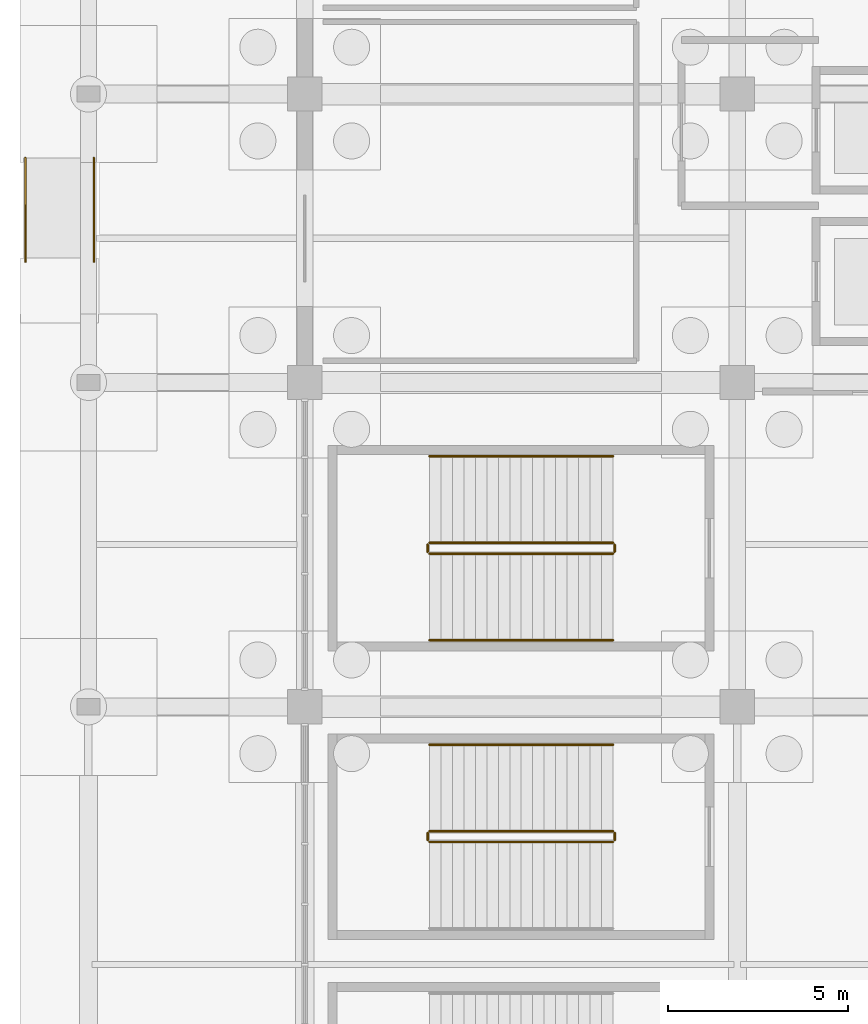
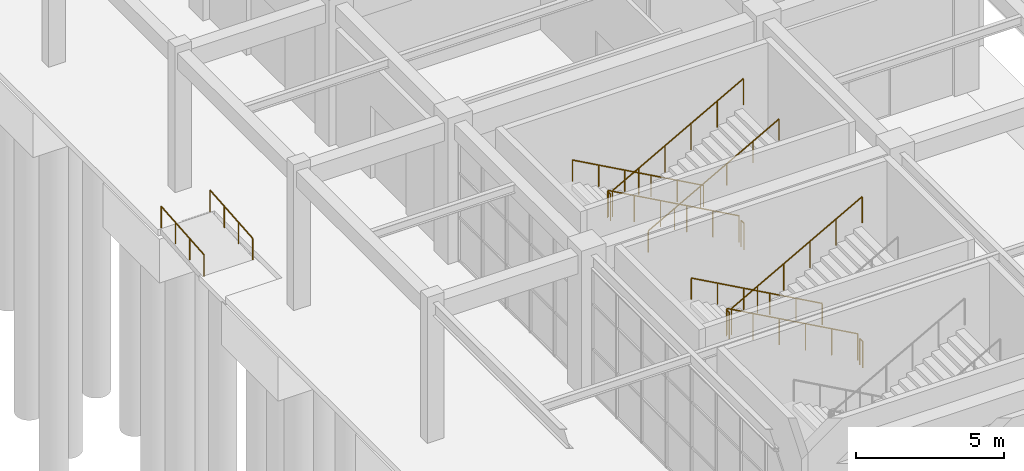
# One storey, part 102 of 121: 13 railings.
"""IFC4 building model written with IfcOpenShell, lengths in metres."""

from ifc_helpers import new_model, si_unit, direction, frame, origin, origin_2d, place, context, subcontext, project, spatial, circle, extrude, material, type_object, element, save


model = new_model("IFC4")

# Units and contexts
model_context = context("Model", 3, precision=1e-05, world=origin(), true_north=direction((0.0, 1.0)))
body_context = subcontext(model_context, "Body", "Model", "MODEL_VIEW")
ifc_project = project(units=[si_unit("LENGTHUNIT", "METRE"), si_unit("AREAUNIT", "SQUARE_METRE"), si_unit("VOLUMEUNIT", "CUBIC_METRE"), si_unit("PLANEANGLEUNIT", "RADIAN"), si_unit("MASSUNIT", "GRAM", prefix="KILO")], contexts=[model_context])

# Site, building, storey
site_placement = place(None, origin())
site = spatial("IfcSite", under=ifc_project, at=site_placement, CompositionType="ELEMENT")
building_placement = place(site_placement, origin())
building = spatial("IfcBuilding", under=site, at=building_placement, Name="Cuetzalor Civic Arena", CompositionType="ELEMENT")
storey_placement = place(building_placement, origin())
storey = spatial("IfcBuildingStorey", under=building, at=storey_placement, Name="L00", CompositionType="ELEMENT", Elevation=0.0)

# Railings
ifc_material_1 = material(Name="Reseda-green architectural Steel S355 balustrade", Category="steel")
railing_type_1 = type_object("IfcRailingType", Name="InteriorVoidBalustrade_1100", PredefinedType="BALUSTRADE", material=ifc_material_1)
railing_1_placement = place(storey_placement, frame((-67.449951171875, -37.449951171875, 0.176513671875)))
element("IfcRailing", 1, at=railing_1_placement, inside=storey, type_object=railing_type_1, Name="L00 ST-15 stair guard 1", PredefinedType="BALUSTRADE", context=body_context, shape_type="SweptSolid", body=[
    extrude(circle(Radius=0.02392578125, at=origin_2d()), frame((0.0, 0.0, 1.0810546875), z_axis=(-0.874394655587, 0.0, 0.485215401941), x_axis=(0.0, -1.0, 0.0)), (0.0, 0.0, 1.0), 5.819091796875),
    extrude(circle(Radius=0.02099609375, at=origin_2d()), origin(), (0.0, 0.0, 1.0), 1.056884765625),
    extrude(circle(Radius=0.02099609375, at=origin_2d()), frame((-1.017578125, 0.0, 0.564697265625)), (0.0, 0.0, 1.0), 1.056884765625),
    extrude(circle(Radius=0.02099609375, at=origin_2d()), frame((-2.03515625, 0.0, 1.12939453125)), (0.0, 0.0, 1.0), 1.056884765625),
    extrude(circle(Radius=0.02099609375, at=origin_2d()), frame((-3.052978515625, 0.0, 1.694091796875)), (0.0, 0.0, 1.0), 1.056884765625),
    extrude(circle(Radius=0.02099609375, at=origin_2d()), frame((-4.070556640625, 0.0, 2.2587890625)), (0.0, 0.0, 1.0), 1.056884765625),
    extrude(circle(Radius=0.02099609375, at=origin_2d()), frame((-5.088134765625, 0.0, 2.823486328125)), (0.0, 0.0, 1.0), 1.056884765625),
])
railing_2_placement = place(storey_placement, frame((-72.587890625, -37.5, 3.0)))
element("IfcRailing", 2, at=railing_2_placement, inside=storey, type_object=railing_type_1, Name="L00 ST-15 stair guard 2", PredefinedType="BALUSTRADE", context=body_context, shape_type="SweptSolid", body=[
    extrude(circle(Radius=0.02392578125, at=origin_2d()), frame((0.0, 0.0, 1.0810546875), z_axis=(0.0, -1.0, 0.0), x_axis=(1.0, 0.0, 0.0)), (0.0, 0.0, 1.0), 0.199951171875),
    extrude(circle(Radius=0.02099609375, at=origin_2d()), origin(), (0.0, 0.0, 1.0), 1.056884765625),
    extrude(circle(Radius=0.02099609375, at=origin_2d()), frame((0.0, -0.199951171875, 0.0)), (0.0, 0.0, 1.0), 1.056884765625),
])
railing_3_placement = place(storey_placement, frame((-72.5380859375, -37.75, 3.176513671875)))
element("IfcRailing", 3, at=railing_3_placement, inside=storey, type_object=railing_type_1, Name="L00 ST-15 stair guard 3", PredefinedType="BALUSTRADE", context=body_context, shape_type="SweptSolid", body=[
    extrude(circle(Radius=0.02392578125, at=origin_2d()), frame((0.0, 0.0, 1.0810546875), z_axis=(0.874394655587, 0.0, 0.485215401941), x_axis=(0.0, 1.0, 0.0)), (0.0, 0.0, 1.0), 5.819091796875),
    extrude(circle(Radius=0.02099609375, at=origin_2d()), origin(), (0.0, 0.0, 1.0), 1.056884765625),
    extrude(circle(Radius=0.02099609375, at=origin_2d()), frame((1.017578125, 0.0, 0.564697265625)), (0.0, 0.0, 1.0), 1.056884765625),
    extrude(circle(Radius=0.02099609375, at=origin_2d()), frame((2.03515625, 0.0, 1.12939453125)), (0.0, 0.0, 1.0), 1.056884765625),
    extrude(circle(Radius=0.02099609375, at=origin_2d()), frame((3.052978515625, 0.0, 1.694091796875)), (0.0, 0.0, 1.0), 1.056884765625),
    extrude(circle(Radius=0.02099609375, at=origin_2d()), frame((4.070556640625, 0.0, 2.2587890625)), (0.0, 0.0, 1.0), 1.056884765625),
    extrude(circle(Radius=0.02099609375, at=origin_2d()), frame((5.088134765625, 0.0, 2.823486328125)), (0.0, 0.0, 1.0), 1.056884765625),
])
railing_4_placement = place(storey_placement, frame((-67.39990234375, -37.5, 0.0)))
element("IfcRailing", 4, at=railing_4_placement, inside=storey, type_object=railing_type_1, Name="L00 ST-15 stair guard 4", PredefinedType="BALUSTRADE", context=body_context, shape_type="SweptSolid", body=[
    extrude(circle(Radius=0.02392578125, at=origin_2d()), frame((0.0, 0.0, 1.0810546875), z_axis=(0.0, -1.0, 0.0), x_axis=(1.0, 0.0, 0.0)), (0.0, 0.0, 1.0), 0.199951171875),
    extrude(circle(Radius=0.02099609375, at=origin_2d()), origin(), (0.0, 0.0, 1.0), 1.056884765625),
    extrude(circle(Radius=0.02099609375, at=origin_2d()), frame((0.0, -0.199951171875, 0.0)), (0.0, 0.0, 1.0), 1.056884765625),
])
railing_5_placement = place(storey_placement, frame((-67.449951171875, -29.449951171875, 0.176513671875)))
element("IfcRailing", 5, at=railing_5_placement, inside=storey, type_object=railing_type_1, Name="L00 ST-16 stair guard 1", PredefinedType="BALUSTRADE", context=body_context, shape_type="SweptSolid", body=[
    extrude(circle(Radius=0.02392578125, at=origin_2d()), frame((0.0, 0.0, 1.0810546875), z_axis=(-0.874394655587, 0.0, 0.485215401941), x_axis=(0.0, -1.0, 0.0)), (0.0, 0.0, 1.0), 5.819091796875),
    extrude(circle(Radius=0.02099609375, at=origin_2d()), origin(), (0.0, 0.0, 1.0), 1.056884765625),
    extrude(circle(Radius=0.02099609375, at=origin_2d()), frame((-1.017578125, 0.0, 0.564697265625)), (0.0, 0.0, 1.0), 1.056884765625),
    extrude(circle(Radius=0.02099609375, at=origin_2d()), frame((-2.03515625, 0.0, 1.12939453125)), (0.0, 0.0, 1.0), 1.056884765625),
    extrude(circle(Radius=0.02099609375, at=origin_2d()), frame((-3.052978515625, 0.0, 1.694091796875)), (0.0, 0.0, 1.0), 1.056884765625),
    extrude(circle(Radius=0.02099609375, at=origin_2d()), frame((-4.070556640625, 0.0, 2.2587890625)), (0.0, 0.0, 1.0), 1.056884765625),
    extrude(circle(Radius=0.02099609375, at=origin_2d()), frame((-5.088134765625, 0.0, 2.823486328125)), (0.0, 0.0, 1.0), 1.056884765625),
])
railing_6_placement = place(storey_placement, frame((-72.587890625, -29.5, 3.0)))
element("IfcRailing", 6, at=railing_6_placement, inside=storey, type_object=railing_type_1, Name="L00 ST-16 stair guard 2", PredefinedType="BALUSTRADE", context=body_context, shape_type="SweptSolid", body=[
    extrude(circle(Radius=0.02392578125, at=origin_2d()), frame((0.0, 0.0, 1.0810546875), z_axis=(0.0, -1.0, 0.0), x_axis=(1.0, 0.0, 0.0)), (0.0, 0.0, 1.0), 0.199951171875),
    extrude(circle(Radius=0.02099609375, at=origin_2d()), origin(), (0.0, 0.0, 1.0), 1.056884765625),
    extrude(circle(Radius=0.02099609375, at=origin_2d()), frame((0.0, -0.199951171875, 0.0)), (0.0, 0.0, 1.0), 1.056884765625),
])
railing_7_placement = place(storey_placement, frame((-72.5380859375, -29.75, 3.176513671875)))
element("IfcRailing", 7, at=railing_7_placement, inside=storey, type_object=railing_type_1, Name="L00 ST-16 stair guard 3", PredefinedType="BALUSTRADE", context=body_context, shape_type="SweptSolid", body=[
    extrude(circle(Radius=0.02392578125, at=origin_2d()), frame((0.0, 0.0, 1.0810546875), z_axis=(0.874394655587, 0.0, 0.485215401941), x_axis=(0.0, 1.0, 0.0)), (0.0, 0.0, 1.0), 5.819091796875),
    extrude(circle(Radius=0.02099609375, at=origin_2d()), origin(), (0.0, 0.0, 1.0), 1.056884765625),
    extrude(circle(Radius=0.02099609375, at=origin_2d()), frame((1.017578125, 0.0, 0.564697265625)), (0.0, 0.0, 1.0), 1.056884765625),
    extrude(circle(Radius=0.02099609375, at=origin_2d()), frame((2.03515625, 0.0, 1.12939453125)), (0.0, 0.0, 1.0), 1.056884765625),
    extrude(circle(Radius=0.02099609375, at=origin_2d()), frame((3.052978515625, 0.0, 1.694091796875)), (0.0, 0.0, 1.0), 1.056884765625),
    extrude(circle(Radius=0.02099609375, at=origin_2d()), frame((4.070556640625, 0.0, 2.2587890625)), (0.0, 0.0, 1.0), 1.056884765625),
    extrude(circle(Radius=0.02099609375, at=origin_2d()), frame((5.088134765625, 0.0, 2.823486328125)), (0.0, 0.0, 1.0), 1.056884765625),
])
railing_8_placement = place(storey_placement, frame((-67.39990234375, -29.5, 0.0)))
element("IfcRailing", 8, at=railing_8_placement, inside=storey, type_object=railing_type_1, Name="L00 ST-16 stair guard 4", PredefinedType="BALUSTRADE", context=body_context, shape_type="SweptSolid", body=[
    extrude(circle(Radius=0.02392578125, at=origin_2d()), frame((0.0, 0.0, 1.0810546875), z_axis=(0.0, -1.0, 0.0), x_axis=(1.0, 0.0, 0.0)), (0.0, 0.0, 1.0), 0.199951171875),
    extrude(circle(Radius=0.02099609375, at=origin_2d()), origin(), (0.0, 0.0, 1.0), 1.056884765625),
    extrude(circle(Radius=0.02099609375, at=origin_2d()), frame((0.0, -0.199951171875, 0.0)), (0.0, 0.0, 1.0), 1.056884765625),
])
ifc_material_2 = material(Name="Galvanised steel S355", Category="steel")
railing_type_2 = type_object("IfcRailingType", Name="StairPitchHandrail_900", PredefinedType="HANDRAIL", material=ifc_material_2)
for number, where, name in (
    (9, (-67.449951171875, -35.050048828125, 0.176513671875), "L00 ST-15 stair handrail 1"),
    (10, (-67.449951171875, -27.050048828125, 0.176513671875), "L00 ST-16 stair handrail 1"),
):
    element("IfcRailing", number, at=place(storey_placement, frame(where)), inside=storey, type_object=railing_type_2, Name=name, PredefinedType="HANDRAIL", context=body_context, shape_type="SweptSolid", body=[
        extrude(circle(Radius=0.02392578125, at=origin_2d()), frame((0.0, 0.0, 0.8759765625), z_axis=(-0.874394655587, 0.0, 0.485215401941), x_axis=(0.0, -1.0, 0.0)), (0.0, 0.0, 1.0), 5.819091796875),
        extrude(circle(Radius=0.02099609375, at=origin_2d()), origin(), (0.0, 0.0, 1.0), 0.851806640625),
        extrude(circle(Radius=0.02099609375, at=origin_2d()), frame((-1.017578125, 0.0, 0.564697265625)), (0.0, 0.0, 1.0), 0.851806640625),
        extrude(circle(Radius=0.02099609375, at=origin_2d()), frame((-2.03515625, 0.0, 1.12939453125)), (0.0, 0.0, 1.0), 0.851806640625),
        extrude(circle(Radius=0.02099609375, at=origin_2d()), frame((-3.052978515625, 0.0, 1.694091796875)), (0.0, 0.0, 1.0), 0.851806640625),
        extrude(circle(Radius=0.02099609375, at=origin_2d()), frame((-4.070556640625, 0.0, 2.2587890625)), (0.0, 0.0, 1.0), 0.851806640625),
        extrude(circle(Radius=0.02099609375, at=origin_2d()), frame((-5.088134765625, 0.0, 2.823486328125)), (0.0, 0.0, 1.0), 0.851806640625),
    ])
railing_9_placement = place(storey_placement, frame((-72.5380859375, -32.14990234375, 3.176513671875)))
element("IfcRailing", 11, at=railing_9_placement, inside=storey, type_object=railing_type_2, Name="L00 ST-16 stair handrail 2", PredefinedType="HANDRAIL", context=body_context, shape_type="SweptSolid", body=[
    extrude(circle(Radius=0.02392578125, at=origin_2d()), frame((0.0, 0.0, 0.8759765625), z_axis=(0.874394655587, 0.0, 0.485215401941), x_axis=(0.0, 1.0, 0.0)), (0.0, 0.0, 1.0), 5.819091796875),
    extrude(circle(Radius=0.02099609375, at=origin_2d()), origin(), (0.0, 0.0, 1.0), 0.851806640625),
    extrude(circle(Radius=0.02099609375, at=origin_2d()), frame((1.017578125, 0.0, 0.564697265625)), (0.0, 0.0, 1.0), 0.851806640625),
    extrude(circle(Radius=0.02099609375, at=origin_2d()), frame((2.03515625, 0.0, 1.12939453125)), (0.0, 0.0, 1.0), 0.851806640625),
    extrude(circle(Radius=0.02099609375, at=origin_2d()), frame((3.052978515625, 0.0, 1.694091796875)), (0.0, 0.0, 1.0), 0.851806640625),
    extrude(circle(Radius=0.02099609375, at=origin_2d()), frame((4.070556640625, 0.0, 2.2587890625)), (0.0, 0.0, 1.0), 0.851806640625),
    extrude(circle(Radius=0.02099609375, at=origin_2d()), frame((5.088134765625, 0.0, 2.823486328125)), (0.0, 0.0, 1.0), 0.851806640625),
])
for number, where, name in (
    (12, (-83.75, -21.64990234375, -0.239990234375), "Accessible Ramp RMP-W1 Handrail L"),
    (13, (-81.85009765625, -21.64990234375, -0.239990234375), "Accessible Ramp RMP-W1 Handrail R"),
):
    element("IfcRailing", number, at=place(storey_placement, frame(where)), inside=storey, type_object=railing_type_2, Name=name, PredefinedType="HANDRAIL", context=body_context, shape_type="SweptSolid", body=[
        extrude(circle(Radius=0.02392578125, at=origin_2d()), frame((0.0, 0.0, 0.8759765625), z_axis=(0.0, 0.996545758245, 0.083045479854), x_axis=(-1.0, 0.0, 0.0)), (0.0, 0.0, 1.0), 2.889892578125),
        extrude(circle(Radius=0.02099609375, at=origin_2d()), origin(), (0.0, 0.0, 1.0), 0.851806640625),
        extrude(circle(Radius=0.02099609375, at=origin_2d()), frame((0.0, 0.9599609375, 0.080078125)), (0.0, 0.0, 1.0), 0.851806640625),
        extrude(circle(Radius=0.02099609375, at=origin_2d()), frame((0.0, 1.919921875, 0.159912109375)), (0.0, 0.0, 1.0), 0.851806640625),
        extrude(circle(Radius=0.02099609375, at=origin_2d()), frame((0.0, 2.8798828125, 0.239990234375)), (0.0, 0.0, 1.0), 0.851806640625),
    ])

save(model, "model.ifc")
